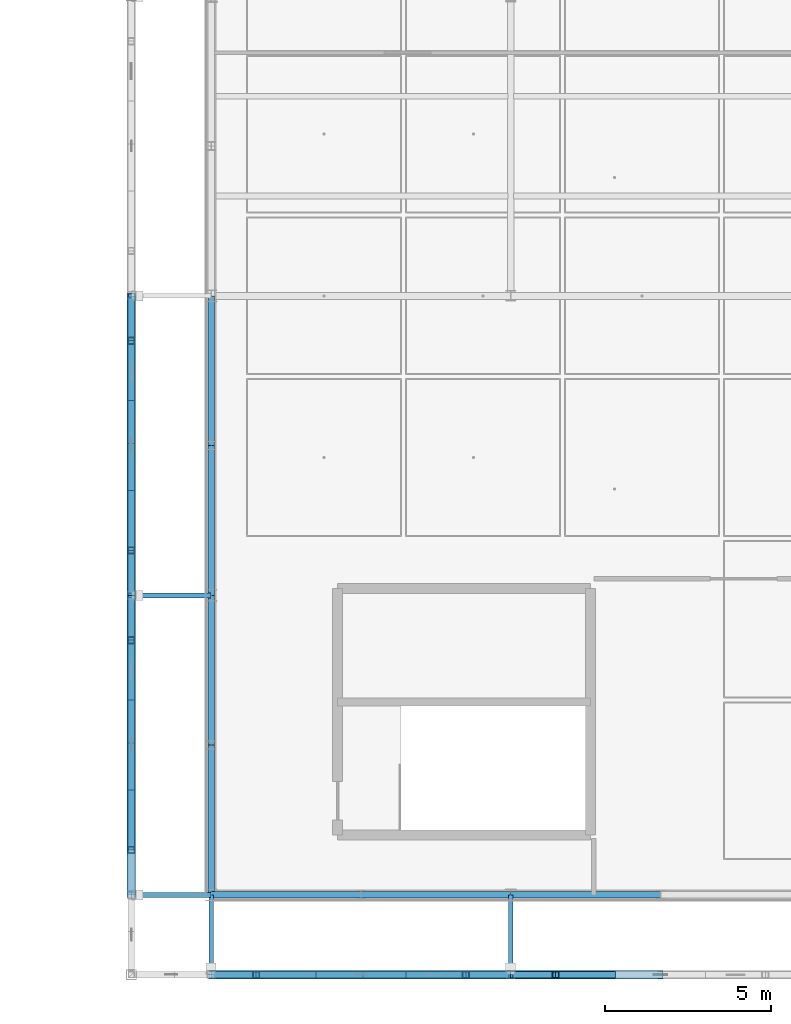
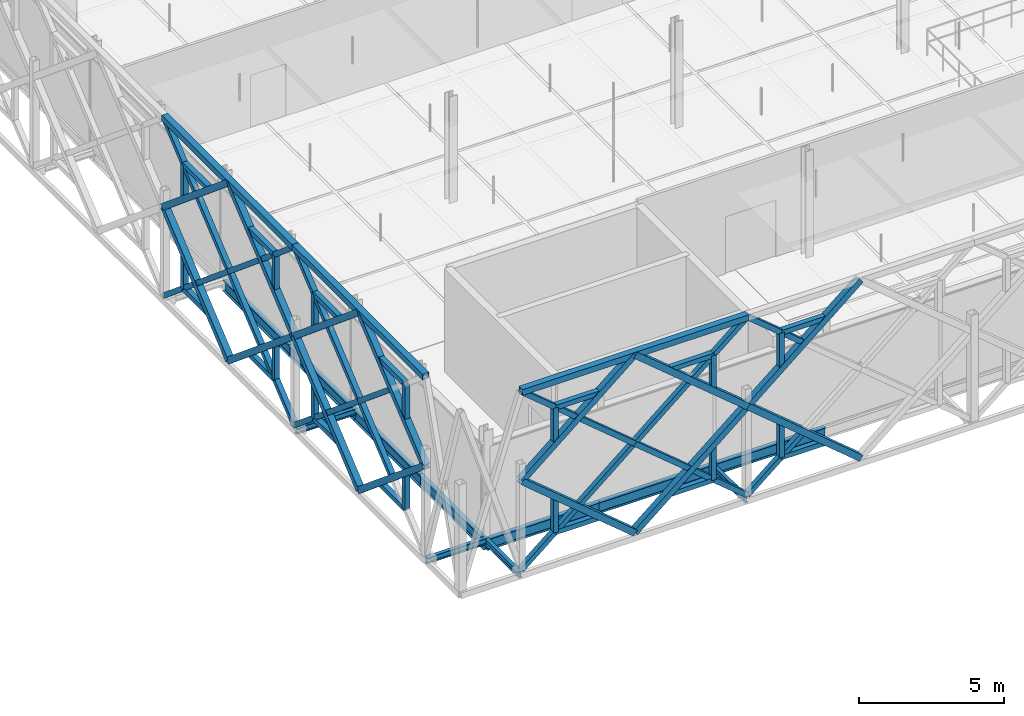
# One storey, part 12 of 66: 66 members, 11 beams.
"""IFC4 building model written with IfcOpenShell, lengths in metres."""

from ifc_helpers import new_model, si_unit, direction, frame, origin, origin_2d, place, context, subcontext, project, spatial, hollow_rectangle, i_section, extrude, material, material_profile, profile_set, type_object, element, save


model = new_model("IFC4")

# Units and contexts
model_context = context("Model", 3, precision=1e-05, world=origin(), true_north=direction((0.0, 1.0)))
body_context = subcontext(model_context, "Body", "Model", "MODEL_VIEW")
ifc_project = project(units=[si_unit("LENGTHUNIT", "METRE"), si_unit("AREAUNIT", "SQUARE_METRE"), si_unit("VOLUMEUNIT", "CUBIC_METRE"), si_unit("PLANEANGLEUNIT", "RADIAN"), si_unit("MASSUNIT", "GRAM", prefix="KILO"), si_unit("THERMODYNAMICTEMPERATUREUNIT", "KELVIN"), si_unit("POWERUNIT", "WATT")], contexts=[model_context])

# Site, building, storey
site_placement = place(None, origin())
site = spatial("IfcSite", under=ifc_project, at=site_placement, CompositionType="ELEMENT")
building_placement = place(site_placement, origin())
building = spatial("IfcBuilding", under=site, at=building_placement, Name="Tallowbark Science Centre", CompositionType="ELEMENT")
storey_placement = place(building_placement, frame((0.0, 0.0, 18.89990234375)))
storey = spatial("IfcBuildingStorey", under=building, at=storey_placement, Name="L04", CompositionType="ELEMENT", Elevation=18.89990234375)

# Beams
ifc_material_1 = material(Name="White Architectural Painted Steel Grade C350L0 (350 MPa)", Category="steel")
ifc_material_profile_1 = material_profile(ifc_material_1, i_section(OverallWidth=0.146484375, OverallDepth=0.256103515625, WebThickness=0.00634765625, FlangeThickness=0.010986328125, FilletRadius=0.0087890625, at=origin_2d()), Name="250UB37.3")
ifc_profile_set_1 = profile_set([ifc_material_profile_1], Name="White Architectural Painted Steel Grade C350L0 (350 MPa)")
beam_type_1 = type_object("IfcBeamType", Name="BM-OUT250", PredefinedType="BEAM", material=ifc_profile_set_1)
for number, where, z_axis, x_axis, name in (
    (1, (58.5, 4.5, -0.25), (0.0, -1.0, 0.0), (1.0, 0.0, 0.0), "Star Screen Outrigger Tie Beam S-57"),
    (2, (67.5, 4.5, -0.25), (0.0, -1.0, 0.0), (1.0, 0.0, 0.0), "Star Screen Outrigger Tie Beam S-59"),
    (3, (58.5, 4.5, -0.25), (-1.0, 0.0, 0.0), (0.0, -1.0, 0.0), "Star Screen Outrigger Tie Beam W-69"),
    (4, (58.5, 13.5, -0.25), (-1.0, 0.0, 0.0), (0.0, -1.0, 0.0), "Star Screen Outrigger Tie Beam W-71"),
):
    element("IfcBeam", number, at=place(storey_placement, frame(where, z_axis=z_axis, x_axis=x_axis)), inside=storey, type_object=beam_type_1, Name=name, PredefinedType="BEAM", context=body_context, shape_type="SweptSolid", body=[
        extrude(i_section(OverallWidth=0.146484375, OverallDepth=0.256103515625, WebThickness=0.00634765625, FlangeThickness=0.010986328125, FilletRadius=0.0087890625, at=origin_2d()), origin(), (0.0, 0.0, 1.0), 2.39990234375),
    ])

# Members
ifc_material_profile_2 = material_profile(ifc_material_1, hollow_rectangle(XDim=0.25, YDim=0.25, WallThickness=0.009033203125, at=origin_2d()), Name="250x250x9.0SHS")
ifc_profile_set_2 = profile_set([ifc_material_profile_2], Name="White Architectural Painted Steel Grade C350L0 (350 MPa)")
member_type_1 = type_object("IfcMemberType", Name="SCR-CHD200", PredefinedType="CHORD", material=ifc_profile_set_2)
member_1_placement = place(storey_placement, frame((58.5, 2.10009765625, 7.5), z_axis=(1.0, 0.0, 0.0), x_axis=(0.0, 1.0, 0.0)))
element("IfcMember", 5, at=member_1_placement, inside=storey, type_object=member_type_1, Name="Star Screen Frame Chord S-36", PredefinedType="CHORD", context=body_context, shape_type="SweptSolid", body=[
    extrude(hollow_rectangle(XDim=0.25, YDim=0.25, WallThickness=0.009033203125, at=origin_2d()), origin(), (0.0, 0.0, 1.0), 9.0),
])
for number, where, z_axis, x_axis, name in (
    (6, (63.0, 2.10009765625, 0.0), (0.768221279597, 0.0, 0.640184399664), (0.0, 1.0, 0.0), "Star Screen Octagram Diamond Chord S-36-1"),
    (7, (67.5, 2.10009765625, 3.75), (-0.768221279597, 0.0, 0.640184399664), (0.0, -1.0, 0.0), "Star Screen Octagram Diamond Chord S-36-2"),
    (8, (63.0, 2.10009765625, 7.5), (-0.768221279597, 0.0, -0.640184399664), (0.0, -1.0, 0.0), "Star Screen Octagram Diamond Chord S-36-3"),
    (9, (58.5, 2.10009765625, 3.75), (0.768221279597, 0.0, -0.640184399664), (0.0, 1.0, 0.0), "Star Screen Octagram Diamond Chord S-36-4"),
    (10, (72.0, 2.10009765625, 7.5), (-0.768221279597, 0.0, -0.640184399664), (0.0, -1.0, 0.0), "Star Screen Octagram Diamond Chord S-38-3"),
    (11, (67.5, 2.10009765625, 3.75), (0.768221279597, 0.0, -0.640184399664), (0.0, 1.0, 0.0), "Star Screen Octagram Diamond Chord S-38-4"),
):
    element("IfcMember", number, at=place(storey_placement, frame(where, z_axis=z_axis, x_axis=x_axis)), inside=storey, type_object=member_type_1, Name=name, PredefinedType="CHORD", context=body_context, shape_type="SweptSolid", body=[
        extrude(hollow_rectangle(XDim=0.25, YDim=0.25, WallThickness=0.009033203125, at=origin_2d()), origin(), (0.0, 0.0, 1.0), 5.857666015625),
    ])
member_2_placement = place(storey_placement, frame((56.10009765625, 4.5, 7.5), z_axis=(0.0, 1.0, 0.0), x_axis=(-1.0, 0.0, 0.0)))
element("IfcMember", 12, at=member_2_placement, inside=storey, type_object=member_type_1, Name="Star Screen Frame Chord W-46", PredefinedType="CHORD", context=body_context, shape_type="SweptSolid", body=[
    extrude(hollow_rectangle(XDim=0.25, YDim=0.25, WallThickness=0.009033203125, at=origin_2d()), origin(), (0.0, 0.0, 1.0), 9.0),
])
for number, where, z_axis, x_axis, name in (
    (13, (56.10009765625, 9.0, 0.0), (0.0, 0.768221279597, 0.640184399664), (-1.0, 0.0, 0.0), "Star Screen Octagram Diamond Chord W-46-1"),
    (14, (56.10009765625, 13.5, 3.75), (0.0, -0.768221279597, 0.640184399664), (1.0, 0.0, 0.0), "Star Screen Octagram Diamond Chord W-46-2"),
    (15, (56.10009765625, 9.0, 7.5), (0.0, -0.768221279597, -0.640184399664), (1.0, 0.0, 0.0), "Star Screen Octagram Diamond Chord W-46-3"),
    (16, (56.10009765625, 4.5, 3.75), (0.0, 0.768221279597, -0.640184399664), (-1.0, 0.0, 0.0), "Star Screen Octagram Diamond Chord W-46-4"),
):
    element("IfcMember", number, at=place(storey_placement, frame(where, z_axis=z_axis, x_axis=x_axis)), inside=storey, type_object=member_type_1, Name=name, PredefinedType="CHORD", context=body_context, shape_type="SweptSolid", body=[
        extrude(hollow_rectangle(XDim=0.25, YDim=0.25, WallThickness=0.009033203125, at=origin_2d()), origin(), (0.0, 0.0, 1.0), 5.857666015625),
    ])
member_3_placement = place(storey_placement, frame((56.10009765625, 13.5, 7.5), z_axis=(0.0, 1.0, 0.0), x_axis=(-1.0, 0.0, 0.0)))
element("IfcMember", 17, at=member_3_placement, inside=storey, type_object=member_type_1, Name="Star Screen Frame Chord W-48", PredefinedType="CHORD", context=body_context, shape_type="SweptSolid", body=[
    extrude(hollow_rectangle(XDim=0.25, YDim=0.25, WallThickness=0.009033203125, at=origin_2d()), origin(), (0.0, 0.0, 1.0), 9.0),
])
for number, where, z_axis, x_axis, name in (
    (18, (56.10009765625, 18.0, 0.0), (0.0, 0.768221279597, 0.640184399664), (-1.0, 0.0, 0.0), "Star Screen Octagram Diamond Chord W-48-1"),
    (19, (56.10009765625, 22.5, 3.75), (0.0, -0.768221279597, 0.640184399664), (1.0, 0.0, 0.0), "Star Screen Octagram Diamond Chord W-48-2"),
    (20, (56.10009765625, 18.0, 7.5), (0.0, -0.768221279597, -0.640184399664), (1.0, 0.0, 0.0), "Star Screen Octagram Diamond Chord W-48-3"),
    (21, (56.10009765625, 13.5, 3.75), (0.0, 0.768221279597, -0.640184399664), (-1.0, 0.0, 0.0), "Star Screen Octagram Diamond Chord W-48-4"),
):
    element("IfcMember", number, at=place(storey_placement, frame(where, z_axis=z_axis, x_axis=x_axis)), inside=storey, type_object=member_type_1, Name=name, PredefinedType="CHORD", context=body_context, shape_type="SweptSolid", body=[
        extrude(hollow_rectangle(XDim=0.25, YDim=0.25, WallThickness=0.009033203125, at=origin_2d()), origin(), (0.0, 0.0, 1.0), 5.857666015625),
    ])
ifc_material_profile_3 = material_profile(ifc_material_1, hollow_rectangle(XDim=0.199951171875, YDim=0.199951171875, WallThickness=0.009033203125, at=origin_2d()), Name="200x200x9.0SHS")
ifc_profile_set_3 = profile_set([ifc_material_profile_3], Name="White Architectural Painted Steel Grade C350L0 (350 MPa)")
member_type_2 = type_object("IfcMemberType", Name="SCR-STAR139", PredefinedType="BRACE", material=ifc_profile_set_3)
member_4_placement = place(storey_placement, frame((58.5, 2.10009765625, 0.0), z_axis=(0.768221279597, 0.0, 0.640184399664), x_axis=(0.0, 1.0, 0.0)))
element("IfcMember", 22, at=member_4_placement, inside=storey, type_object=member_type_2, Name="Star Screen Continuous X-Diagonal D1A S-36", PredefinedType="BRACE", context=body_context, shape_type="SweptSolid", body=[
    extrude(hollow_rectangle(XDim=0.199951171875, YDim=0.199951171875, WallThickness=0.009033203125, at=origin_2d()), origin(), (0.0, 0.0, 1.0), 2.928955078125),
])
member_5_placement = place(storey_placement, frame((60.75, 2.10009765625, 1.875), z_axis=(0.768221279597, 0.0, 0.640184399664), x_axis=(0.0, 1.0, 0.0)))
element("IfcMember", 23, at=member_5_placement, inside=storey, type_object=member_type_2, Name="Star Screen Continuous X-Diagonal D1M S-36", PredefinedType="BRACE", context=body_context, shape_type="SweptSolid", body=[
    extrude(hollow_rectangle(XDim=0.199951171875, YDim=0.199951171875, WallThickness=0.009033203125, at=origin_2d()), origin(), (0.0, 0.0, 1.0), 5.857666015625),
])
for number, where, z_axis, x_axis, name in (
    (24, (65.25, 2.10009765625, 5.625), (0.768221279597, 0.0, 0.640184399664), (0.0, 1.0, 0.0), "Star Screen Continuous X-Diagonal D1B S-36"),
    (25, (58.5, 2.10009765625, 7.5), (0.768221279597, 0.0, -0.640184399664), (0.0, 1.0, 0.0), "Star Screen Split X-Diagonal D2A S-36"),
    (26, (60.75, 2.10009765625, 5.625), (0.768221279597, 0.0, -0.640184399664), (0.0, 1.0, 0.0), "Star Screen Split X-Diagonal D2B S-36"),
    (27, (63.0, 2.10009765625, 3.75), (0.768221279597, 0.0, -0.640184399664), (0.0, 1.0, 0.0), "Star Screen Split X-Diagonal D2C S-36"),
    (28, (65.25, 2.10009765625, 1.875), (0.768221279597, 0.0, -0.640184399664), (0.0, 1.0, 0.0), "Star Screen Split X-Diagonal D2D S-36"),
    (29, (67.5, 2.10009765625, 0.0), (0.768221279597, 0.0, 0.640184399664), (0.0, 1.0, 0.0), "Star Screen Continuous X-Diagonal D1A S-38"),
    (30, (67.5, 2.10009765625, 7.5), (0.768221279597, 0.0, -0.640184399664), (0.0, 1.0, 0.0), "Star Screen Split X-Diagonal D2A S-38"),
):
    element("IfcMember", number, at=place(storey_placement, frame(where, z_axis=z_axis, x_axis=x_axis)), inside=storey, type_object=member_type_2, Name=name, PredefinedType="BRACE", context=body_context, shape_type="SweptSolid", body=[
        extrude(hollow_rectangle(XDim=0.199951171875, YDim=0.199951171875, WallThickness=0.009033203125, at=origin_2d()), origin(), (0.0, 0.0, 1.0), 2.928955078125),
    ])
member_6_placement = place(storey_placement, frame((56.10009765625, 6.75, 1.875), z_axis=(0.0, 0.768221279597, 0.640184399664), x_axis=(-1.0, 0.0, 0.0)))
element("IfcMember", 31, at=member_6_placement, inside=storey, type_object=member_type_2, Name="Star Screen Continuous X-Diagonal D1M W-46", PredefinedType="BRACE", context=body_context, shape_type="SweptSolid", body=[
    extrude(hollow_rectangle(XDim=0.199951171875, YDim=0.199951171875, WallThickness=0.009033203125, at=origin_2d()), origin(), (0.0, 0.0, 1.0), 5.857666015625),
])
for number, where, z_axis, x_axis, name in (
    (32, (56.10009765625, 11.25, 5.625), (0.0, 0.768221279597, 0.640184399664), (-1.0, 0.0, 0.0), "Star Screen Continuous X-Diagonal D1B W-46"),
    (33, (56.10009765625, 6.75, 5.625), (0.0, 0.768221279597, -0.640184399664), (-1.0, 0.0, 0.0), "Star Screen Split X-Diagonal D2B W-46"),
    (34, (56.10009765625, 9.0, 3.75), (0.0, 0.768221279597, -0.640184399664), (-1.0, 0.0, 0.0), "Star Screen Split X-Diagonal D2C W-46"),
    (35, (56.10009765625, 11.25, 1.875), (0.0, 0.768221279597, -0.640184399664), (-1.0, 0.0, 0.0), "Star Screen Split X-Diagonal D2D W-46"),
    (36, (56.10009765625, 13.5, 0.0), (0.0, 0.768221279597, 0.640184399664), (-1.0, 0.0, 0.0), "Star Screen Continuous X-Diagonal D1A W-48"),
):
    element("IfcMember", number, at=place(storey_placement, frame(where, z_axis=z_axis, x_axis=x_axis)), inside=storey, type_object=member_type_2, Name=name, PredefinedType="BRACE", context=body_context, shape_type="SweptSolid", body=[
        extrude(hollow_rectangle(XDim=0.199951171875, YDim=0.199951171875, WallThickness=0.009033203125, at=origin_2d()), origin(), (0.0, 0.0, 1.0), 2.928955078125),
    ])
member_7_placement = place(storey_placement, frame((56.10009765625, 15.75, 1.875), z_axis=(0.0, 0.768221279597, 0.640184399664), x_axis=(-1.0, 0.0, 0.0)))
element("IfcMember", 37, at=member_7_placement, inside=storey, type_object=member_type_2, Name="Star Screen Continuous X-Diagonal D1M W-48", PredefinedType="BRACE", context=body_context, shape_type="SweptSolid", body=[
    extrude(hollow_rectangle(XDim=0.199951171875, YDim=0.199951171875, WallThickness=0.009033203125, at=origin_2d()), origin(), (0.0, 0.0, 1.0), 5.857666015625),
])
for number, where, z_axis, x_axis, name in (
    (38, (56.10009765625, 20.25, 5.625), (0.0, 0.768221279597, 0.640184399664), (-1.0, 0.0, 0.0), "Star Screen Continuous X-Diagonal D1B W-48"),
    (39, (56.10009765625, 13.5, 7.5), (0.0, 0.768221279597, -0.640184399664), (-1.0, 0.0, 0.0), "Star Screen Split X-Diagonal D2A W-48"),
    (40, (56.10009765625, 15.75, 5.625), (0.0, 0.768221279597, -0.640184399664), (-1.0, 0.0, 0.0), "Star Screen Split X-Diagonal D2B W-48"),
    (41, (56.10009765625, 18.0, 3.75), (0.0, 0.768221279597, -0.640184399664), (-1.0, 0.0, 0.0), "Star Screen Split X-Diagonal D2C W-48"),
    (42, (56.10009765625, 20.25, 1.875), (0.0, 0.768221279597, -0.640184399664), (-1.0, 0.0, 0.0), "Star Screen Split X-Diagonal D2D W-48"),
):
    element("IfcMember", number, at=place(storey_placement, frame(where, z_axis=z_axis, x_axis=x_axis)), inside=storey, type_object=member_type_2, Name=name, PredefinedType="BRACE", context=body_context, shape_type="SweptSolid", body=[
        extrude(hollow_rectangle(XDim=0.199951171875, YDim=0.199951171875, WallThickness=0.009033203125, at=origin_2d()), origin(), (0.0, 0.0, 1.0), 2.928955078125),
    ])
ifc_material_profile_4 = material_profile(ifc_material_1, hollow_rectangle(XDim=0.199951171875, YDim=0.199951171875, WallThickness=0.009033203125, at=origin_2d()), Name="200x200x9.0SHS")
ifc_profile_set_4 = profile_set([ifc_material_profile_4], Name="White Architectural Painted Steel Grade C350L0 (350 MPa)")
member_type_3 = type_object("IfcMemberType", Name="SCR-SUB150", PredefinedType="BRACE", material=ifc_profile_set_4)
member_8_placement = place(storey_placement, frame((59.85009765625, 2.10009765625, 1.125), z_axis=(1.0, 0.0, 0.0), x_axis=(0.0, 1.0, 0.0)))
element("IfcMember", 43, at=member_8_placement, inside=storey, type_object=member_type_3, Name="Star Screen Octagram Point Ray S-36-1", PredefinedType="BRACE", context=body_context, shape_type="SweptSolid", body=[
    extrude(hollow_rectangle(XDim=0.199951171875, YDim=0.199951171875, WallThickness=0.009033203125, at=origin_2d()), origin(), (0.0, 0.0, 1.0), 1.7998046875),
])
member_9_placement = place(storey_placement, frame((59.85009765625, 2.10009765625, 1.125), z_axis=(0.0, 0.0, 1.0), x_axis=(1.0, 0.0, 0.0)))
element("IfcMember", 44, at=member_9_placement, inside=storey, type_object=member_type_3, Name="Star Screen Octagram Point Ray S-36-2", PredefinedType="BRACE", context=body_context, shape_type="SweptSolid", body=[
    extrude(hollow_rectangle(XDim=0.199951171875, YDim=0.199951171875, WallThickness=0.009033203125, at=origin_2d()), origin(), (0.0, 0.0, 1.0), 1.5),
])
member_10_placement = place(storey_placement, frame((66.14990234375, 2.10009765625, 1.125), z_axis=(-1.0, 0.0, 0.0), x_axis=(0.0, -1.0, 0.0)))
element("IfcMember", 45, at=member_10_placement, inside=storey, type_object=member_type_3, Name="Star Screen Octagram Point Ray S-36-3", PredefinedType="BRACE", context=body_context, shape_type="SweptSolid", body=[
    extrude(hollow_rectangle(XDim=0.199951171875, YDim=0.199951171875, WallThickness=0.009033203125, at=origin_2d()), origin(), (0.0, 0.0, 1.0), 1.7998046875),
])
member_11_placement = place(storey_placement, frame((66.14990234375, 2.10009765625, 1.125), z_axis=(0.0, 0.0, 1.0), x_axis=(1.0, 0.0, 0.0)))
element("IfcMember", 46, at=member_11_placement, inside=storey, type_object=member_type_3, Name="Star Screen Octagram Point Ray S-36-4", PredefinedType="BRACE", context=body_context, shape_type="SweptSolid", body=[
    extrude(hollow_rectangle(XDim=0.199951171875, YDim=0.199951171875, WallThickness=0.009033203125, at=origin_2d()), origin(), (0.0, 0.0, 1.0), 1.5),
])
member_12_placement = place(storey_placement, frame((66.14990234375, 2.10009765625, 6.375), z_axis=(-1.0, 0.0, 0.0), x_axis=(0.0, -1.0, 0.0)))
element("IfcMember", 47, at=member_12_placement, inside=storey, type_object=member_type_3, Name="Star Screen Octagram Point Ray S-36-5", PredefinedType="BRACE", context=body_context, shape_type="SweptSolid", body=[
    extrude(hollow_rectangle(XDim=0.199951171875, YDim=0.199951171875, WallThickness=0.009033203125, at=origin_2d()), origin(), (0.0, 0.0, 1.0), 1.7998046875),
])
member_13_placement = place(storey_placement, frame((66.14990234375, 2.10009765625, 6.375), z_axis=(0.0, 0.0, -1.0), x_axis=(1.0, 0.0, 0.0)))
element("IfcMember", 48, at=member_13_placement, inside=storey, type_object=member_type_3, Name="Star Screen Octagram Point Ray S-36-6", PredefinedType="BRACE", context=body_context, shape_type="SweptSolid", body=[
    extrude(hollow_rectangle(XDim=0.199951171875, YDim=0.199951171875, WallThickness=0.009033203125, at=origin_2d()), origin(), (0.0, 0.0, 1.0), 1.5),
])
member_14_placement = place(storey_placement, frame((59.85009765625, 2.10009765625, 6.375), z_axis=(1.0, 0.0, 0.0), x_axis=(0.0, 1.0, 0.0)))
element("IfcMember", 49, at=member_14_placement, inside=storey, type_object=member_type_3, Name="Star Screen Octagram Point Ray S-36-7", PredefinedType="BRACE", context=body_context, shape_type="SweptSolid", body=[
    extrude(hollow_rectangle(XDim=0.199951171875, YDim=0.199951171875, WallThickness=0.009033203125, at=origin_2d()), origin(), (0.0, 0.0, 1.0), 1.7998046875),
])
member_15_placement = place(storey_placement, frame((59.85009765625, 2.10009765625, 6.375), z_axis=(0.0, 0.0, -1.0), x_axis=(1.0, 0.0, 0.0)))
element("IfcMember", 50, at=member_15_placement, inside=storey, type_object=member_type_3, Name="Star Screen Octagram Point Ray S-36-8", PredefinedType="BRACE", context=body_context, shape_type="SweptSolid", body=[
    extrude(hollow_rectangle(XDim=0.199951171875, YDim=0.199951171875, WallThickness=0.009033203125, at=origin_2d()), origin(), (0.0, 0.0, 1.0), 1.5),
])
member_16_placement = place(storey_placement, frame((68.85009765625, 2.10009765625, 1.125), z_axis=(1.0, 0.0, 0.0), x_axis=(0.0, 1.0, 0.0)))
element("IfcMember", 51, at=member_16_placement, inside=storey, type_object=member_type_3, Name="Star Screen Octagram Point Ray S-38-1", PredefinedType="BRACE", context=body_context, shape_type="SweptSolid", body=[
    extrude(hollow_rectangle(XDim=0.199951171875, YDim=0.199951171875, WallThickness=0.009033203125, at=origin_2d()), origin(), (0.0, 0.0, 1.0), 1.7998046875),
])
member_17_placement = place(storey_placement, frame((68.85009765625, 2.10009765625, 1.125), z_axis=(0.0, 0.0, 1.0), x_axis=(1.0, 0.0, 0.0)))
element("IfcMember", 52, at=member_17_placement, inside=storey, type_object=member_type_3, Name="Star Screen Octagram Point Ray S-38-2", PredefinedType="BRACE", context=body_context, shape_type="SweptSolid", body=[
    extrude(hollow_rectangle(XDim=0.199951171875, YDim=0.199951171875, WallThickness=0.009033203125, at=origin_2d()), origin(), (0.0, 0.0, 1.0), 1.5),
])
member_18_placement = place(storey_placement, frame((68.85009765625, 2.10009765625, 6.375), z_axis=(1.0, 0.0, 0.0), x_axis=(0.0, 1.0, 0.0)))
element("IfcMember", 53, at=member_18_placement, inside=storey, type_object=member_type_3, Name="Star Screen Octagram Point Ray S-38-7", PredefinedType="BRACE", context=body_context, shape_type="SweptSolid", body=[
    extrude(hollow_rectangle(XDim=0.199951171875, YDim=0.199951171875, WallThickness=0.009033203125, at=origin_2d()), origin(), (0.0, 0.0, 1.0), 1.7998046875),
])
member_19_placement = place(storey_placement, frame((68.85009765625, 2.10009765625, 6.375), z_axis=(0.0, 0.0, -1.0), x_axis=(1.0, 0.0, 0.0)))
element("IfcMember", 54, at=member_19_placement, inside=storey, type_object=member_type_3, Name="Star Screen Octagram Point Ray S-38-8", PredefinedType="BRACE", context=body_context, shape_type="SweptSolid", body=[
    extrude(hollow_rectangle(XDim=0.199951171875, YDim=0.199951171875, WallThickness=0.009033203125, at=origin_2d()), origin(), (0.0, 0.0, 1.0), 1.5),
])
member_20_placement = place(storey_placement, frame((56.10009765625, 5.85009765625, 1.125), z_axis=(0.0, 1.0, 0.0), x_axis=(-1.0, 0.0, 0.0)))
element("IfcMember", 55, at=member_20_placement, inside=storey, type_object=member_type_3, Name="Star Screen Octagram Point Ray W-46-1", PredefinedType="BRACE", context=body_context, shape_type="SweptSolid", body=[
    extrude(hollow_rectangle(XDim=0.199951171875, YDim=0.199951171875, WallThickness=0.009033203125, at=origin_2d()), origin(), (0.0, 0.0, 1.0), 1.7998046875),
])
member_21_placement = place(storey_placement, frame((56.10009765625, 5.85009765625, 1.125), z_axis=(0.0, 0.0, 1.0), x_axis=(1.0, 0.0, 0.0)))
element("IfcMember", 56, at=member_21_placement, inside=storey, type_object=member_type_3, Name="Star Screen Octagram Point Ray W-46-2", PredefinedType="BRACE", context=body_context, shape_type="SweptSolid", body=[
    extrude(hollow_rectangle(XDim=0.199951171875, YDim=0.199951171875, WallThickness=0.009033203125, at=origin_2d()), origin(), (0.0, 0.0, 1.0), 1.5),
])
member_22_placement = place(storey_placement, frame((56.10009765625, 12.14990234375, 1.125), z_axis=(0.0, -1.0, 0.0), x_axis=(1.0, 0.0, 0.0)))
element("IfcMember", 57, at=member_22_placement, inside=storey, type_object=member_type_3, Name="Star Screen Octagram Point Ray W-46-3", PredefinedType="BRACE", context=body_context, shape_type="SweptSolid", body=[
    extrude(hollow_rectangle(XDim=0.199951171875, YDim=0.199951171875, WallThickness=0.009033203125, at=origin_2d()), origin(), (0.0, 0.0, 1.0), 1.7998046875),
])
member_23_placement = place(storey_placement, frame((56.10009765625, 12.14990234375, 1.125), z_axis=(0.0, 0.0, 1.0), x_axis=(1.0, 0.0, 0.0)))
element("IfcMember", 58, at=member_23_placement, inside=storey, type_object=member_type_3, Name="Star Screen Octagram Point Ray W-46-4", PredefinedType="BRACE", context=body_context, shape_type="SweptSolid", body=[
    extrude(hollow_rectangle(XDim=0.199951171875, YDim=0.199951171875, WallThickness=0.009033203125, at=origin_2d()), origin(), (0.0, 0.0, 1.0), 1.5),
])
member_24_placement = place(storey_placement, frame((56.10009765625, 12.14990234375, 6.375), z_axis=(0.0, -1.0, 0.0), x_axis=(1.0, 0.0, 0.0)))
element("IfcMember", 59, at=member_24_placement, inside=storey, type_object=member_type_3, Name="Star Screen Octagram Point Ray W-46-5", PredefinedType="BRACE", context=body_context, shape_type="SweptSolid", body=[
    extrude(hollow_rectangle(XDim=0.199951171875, YDim=0.199951171875, WallThickness=0.009033203125, at=origin_2d()), origin(), (0.0, 0.0, 1.0), 1.7998046875),
])
member_25_placement = place(storey_placement, frame((56.10009765625, 12.14990234375, 6.375), z_axis=(0.0, 0.0, -1.0), x_axis=(1.0, 0.0, 0.0)))
element("IfcMember", 60, at=member_25_placement, inside=storey, type_object=member_type_3, Name="Star Screen Octagram Point Ray W-46-6", PredefinedType="BRACE", context=body_context, shape_type="SweptSolid", body=[
    extrude(hollow_rectangle(XDim=0.199951171875, YDim=0.199951171875, WallThickness=0.009033203125, at=origin_2d()), origin(), (0.0, 0.0, 1.0), 1.5),
])
member_26_placement = place(storey_placement, frame((56.10009765625, 5.85009765625, 6.375), z_axis=(0.0, 1.0, 0.0), x_axis=(-1.0, 0.0, 0.0)))
element("IfcMember", 61, at=member_26_placement, inside=storey, type_object=member_type_3, Name="Star Screen Octagram Point Ray W-46-7", PredefinedType="BRACE", context=body_context, shape_type="SweptSolid", body=[
    extrude(hollow_rectangle(XDim=0.199951171875, YDim=0.199951171875, WallThickness=0.009033203125, at=origin_2d()), origin(), (0.0, 0.0, 1.0), 1.7998046875),
])
member_27_placement = place(storey_placement, frame((56.10009765625, 5.85009765625, 6.375), z_axis=(0.0, 0.0, -1.0), x_axis=(1.0, 0.0, 0.0)))
element("IfcMember", 62, at=member_27_placement, inside=storey, type_object=member_type_3, Name="Star Screen Octagram Point Ray W-46-8", PredefinedType="BRACE", context=body_context, shape_type="SweptSolid", body=[
    extrude(hollow_rectangle(XDim=0.199951171875, YDim=0.199951171875, WallThickness=0.009033203125, at=origin_2d()), origin(), (0.0, 0.0, 1.0), 1.5),
])
member_28_placement = place(storey_placement, frame((56.10009765625, 14.85009765625, 1.125), z_axis=(0.0, 1.0, 0.0), x_axis=(-1.0, 0.0, 0.0)))
element("IfcMember", 63, at=member_28_placement, inside=storey, type_object=member_type_3, Name="Star Screen Octagram Point Ray W-48-1", PredefinedType="BRACE", context=body_context, shape_type="SweptSolid", body=[
    extrude(hollow_rectangle(XDim=0.199951171875, YDim=0.199951171875, WallThickness=0.009033203125, at=origin_2d()), origin(), (0.0, 0.0, 1.0), 1.7998046875),
])
member_29_placement = place(storey_placement, frame((56.10009765625, 14.85009765625, 1.125), z_axis=(0.0, 0.0, 1.0), x_axis=(1.0, 0.0, 0.0)))
element("IfcMember", 64, at=member_29_placement, inside=storey, type_object=member_type_3, Name="Star Screen Octagram Point Ray W-48-2", PredefinedType="BRACE", context=body_context, shape_type="SweptSolid", body=[
    extrude(hollow_rectangle(XDim=0.199951171875, YDim=0.199951171875, WallThickness=0.009033203125, at=origin_2d()), origin(), (0.0, 0.0, 1.0), 1.5),
])
member_30_placement = place(storey_placement, frame((56.10009765625, 21.14990234375, 1.125), z_axis=(0.0, -1.0, 0.0), x_axis=(1.0, 0.0, 0.0)))
element("IfcMember", 65, at=member_30_placement, inside=storey, type_object=member_type_3, Name="Star Screen Octagram Point Ray W-48-3", PredefinedType="BRACE", context=body_context, shape_type="SweptSolid", body=[
    extrude(hollow_rectangle(XDim=0.199951171875, YDim=0.199951171875, WallThickness=0.009033203125, at=origin_2d()), origin(), (0.0, 0.0, 1.0), 1.7998046875),
])
member_31_placement = place(storey_placement, frame((56.10009765625, 21.14990234375, 1.125), z_axis=(0.0, 0.0, 1.0), x_axis=(1.0, 0.0, 0.0)))
element("IfcMember", 66, at=member_31_placement, inside=storey, type_object=member_type_3, Name="Star Screen Octagram Point Ray W-48-4", PredefinedType="BRACE", context=body_context, shape_type="SweptSolid", body=[
    extrude(hollow_rectangle(XDim=0.199951171875, YDim=0.199951171875, WallThickness=0.009033203125, at=origin_2d()), origin(), (0.0, 0.0, 1.0), 1.5),
])
member_32_placement = place(storey_placement, frame((56.10009765625, 21.14990234375, 6.375), z_axis=(0.0, -1.0, 0.0), x_axis=(1.0, 0.0, 0.0)))
element("IfcMember", 67, at=member_32_placement, inside=storey, type_object=member_type_3, Name="Star Screen Octagram Point Ray W-48-5", PredefinedType="BRACE", context=body_context, shape_type="SweptSolid", body=[
    extrude(hollow_rectangle(XDim=0.199951171875, YDim=0.199951171875, WallThickness=0.009033203125, at=origin_2d()), origin(), (0.0, 0.0, 1.0), 1.7998046875),
])
member_33_placement = place(storey_placement, frame((56.10009765625, 21.14990234375, 6.375), z_axis=(0.0, 0.0, -1.0), x_axis=(1.0, 0.0, 0.0)))
element("IfcMember", 68, at=member_33_placement, inside=storey, type_object=member_type_3, Name="Star Screen Octagram Point Ray W-48-6", PredefinedType="BRACE", context=body_context, shape_type="SweptSolid", body=[
    extrude(hollow_rectangle(XDim=0.199951171875, YDim=0.199951171875, WallThickness=0.009033203125, at=origin_2d()), origin(), (0.0, 0.0, 1.0), 1.5),
])
member_34_placement = place(storey_placement, frame((56.10009765625, 14.85009765625, 6.375), z_axis=(0.0, 1.0, 0.0), x_axis=(-1.0, 0.0, 0.0)))
element("IfcMember", 69, at=member_34_placement, inside=storey, type_object=member_type_3, Name="Star Screen Octagram Point Ray W-48-7", PredefinedType="BRACE", context=body_context, shape_type="SweptSolid", body=[
    extrude(hollow_rectangle(XDim=0.199951171875, YDim=0.199951171875, WallThickness=0.009033203125, at=origin_2d()), origin(), (0.0, 0.0, 1.0), 1.7998046875),
])
member_35_placement = place(storey_placement, frame((56.10009765625, 14.85009765625, 6.375), z_axis=(0.0, 0.0, -1.0), x_axis=(1.0, 0.0, 0.0)))
element("IfcMember", 70, at=member_35_placement, inside=storey, type_object=member_type_3, Name="Star Screen Octagram Point Ray W-48-8", PredefinedType="BRACE", context=body_context, shape_type="SweptSolid", body=[
    extrude(hollow_rectangle(XDim=0.199951171875, YDim=0.199951171875, WallThickness=0.009033203125, at=origin_2d()), origin(), (0.0, 0.0, 1.0), 1.5),
])

# Beams
ifc_material_2 = material(Name="Structural Steel Grade 300PLUS (300 MPa)", Category="steel")
ifc_material_profile_5 = material_profile(ifc_material_2, i_section(OverallWidth=0.18994140625, OverallDepth=0.453857421875, WebThickness=0.008544921875, FlangeThickness=0.0126953125, FilletRadius=0.011474609375, at=origin_2d()), Name="460UB67.1")
ifc_profile_set_5 = profile_set([ifc_material_profile_5], Name="Structural Steel Grade 300PLUS (300 MPa)")
beam_type_2 = type_object("IfcBeamType", Name="SPN-UB460", PredefinedType="SPANDREL", material=ifc_profile_set_5)
for number, where, z_axis, x_axis, name in (
    (71, (58.5, 4.5, -0.40673828125), (1.0, 0.0, 0.0), (0.0, 1.0, 0.0), "Primary Girder GRDX-L04-585-630-45"),
    (72, (63.0, 4.5, -0.40673828125), (1.0, 0.0, 0.0), (0.0, 1.0, 0.0), "Primary Girder GRDX-L04-630-675-45"),
    (73, (67.5, 4.5, -0.40673828125), (1.0, 0.0, 0.0), (0.0, 1.0, 0.0), "Primary Girder GRDX-L04-675-720-45"),
    (74, (58.5, 4.5, -0.40673828125), (0.0, 1.0, 0.0), (-1.0, 0.0, 0.0), "Primary Girder GRDY-L04-585-45-90"),
    (75, (58.5, 9.0, -0.40673828125), (0.0, 1.0, 0.0), (-1.0, 0.0, 0.0), "Primary Girder GRDY-L04-585-90-135"),
    (76, (58.5, 13.5, -0.40673828125), (0.0, 1.0, 0.0), (-1.0, 0.0, 0.0), "Primary Girder GRDY-L04-585-135-180"),
    (77, (58.5, 18.0, -0.40673828125), (0.0, 1.0, 0.0), (-1.0, 0.0, 0.0), "Primary Girder GRDY-L04-585-180-225"),
):
    element("IfcBeam", number, at=place(storey_placement, frame(where, z_axis=z_axis, x_axis=x_axis)), inside=storey, type_object=beam_type_2, Name=name, PredefinedType="SPANDREL", context=body_context, shape_type="SweptSolid", body=[
        extrude(i_section(OverallWidth=0.18994140625, OverallDepth=0.453857421875, WebThickness=0.008544921875, FlangeThickness=0.0126953125, FilletRadius=0.011474609375, at=origin_2d()), origin(), (0.0, 0.0, 1.0), 4.5),
    ])

save(model, "model.ifc")
